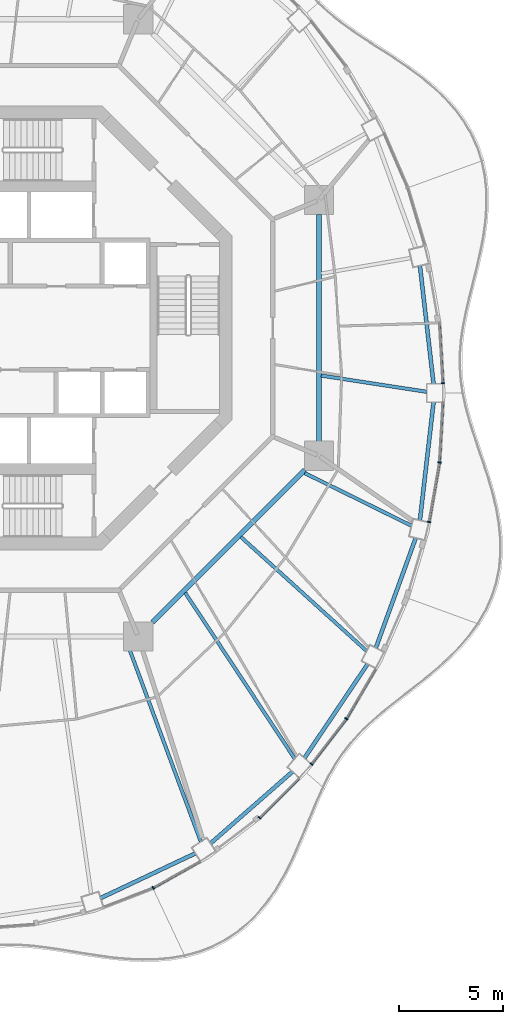
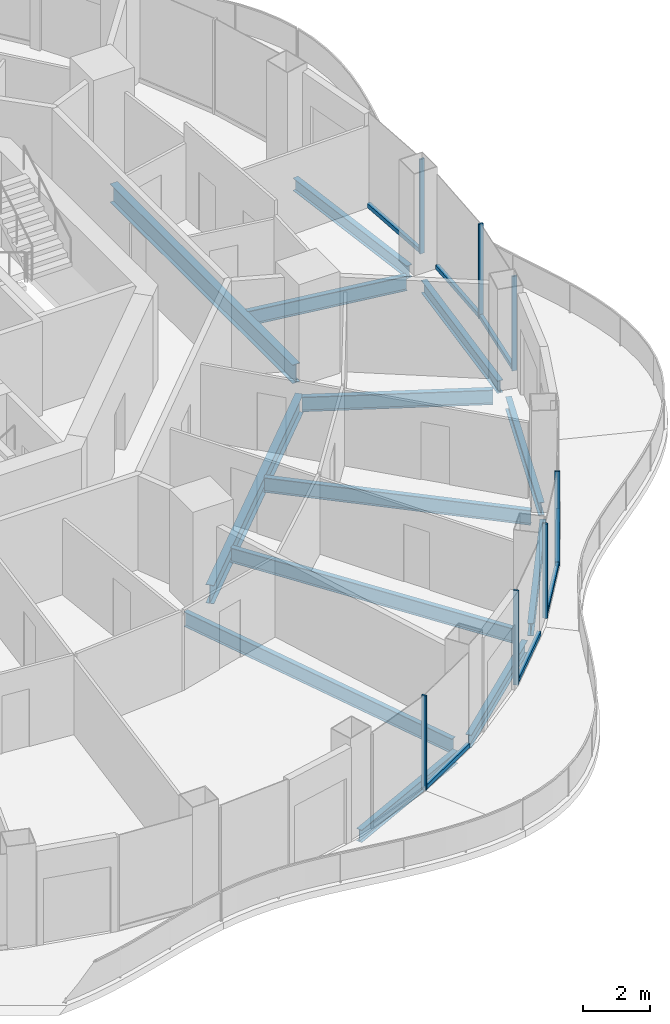
# One storey, part 4 of 17: 14 members, 13 beams, 7 elements without a shape of their own.
"""IFC4 building model written with IfcOpenShell, lengths in metres."""

import ifcopenshell
import ifcopenshell.guid

model = None  # the IFC model being written
_history = None  # IfcOwnerHistory: only IFC2X3 demands one
_inside = {}  # id of a spatial element -> (the spatial element, [elements in it])
_under = {}  # id of a project, library or spatial element -> (it, [spatial elements below it])
_declared = {}  # id of a project -> (the project, [libraries it declares])
_typed = {}  # id of a type object -> (the type object, [elements of that type])
_made_of = {}  # id of a material, layer set ... -> (it, [elements and type objects made of it])


def new_model(schema):
    """Start an empty IFC model of exactly this schema.

    Asked for "IFC4X3", IfcOpenShell would pick the latest addendum, in which some entities
    have other attributes; the version numbers below select the first issue.
    IFC2X3 requires an IfcOwnerHistory on every rooted entity: one is made here for all.
    """
    global model, _history
    if schema == "IFC4X3":
        model = ifcopenshell.file(schema_version=(4, 3, 0, 0))
    else:
        model = ifcopenshell.file(schema=schema)
    _inside.clear()
    _under.clear()
    _declared.clear()
    _typed.clear()
    _made_of.clear()
    _history = None
    if model.schema == "IFC2X3":
        org = make("IfcOrganization", Name="unknown")
        user = make(
            "IfcPersonAndOrganization",
            ThePerson=make("IfcPerson", FamilyName="unknown"),
            TheOrganization=org,
        )
        app = make(
            "IfcApplication",
            ApplicationDeveloper=org,
            Version="unknown",
            ApplicationFullName="unknown",
            ApplicationIdentifier="unknown",
        )
        _history = make(
            "IfcOwnerHistory",
            OwningUser=user,
            OwningApplication=app,
            ChangeAction="ADDED",
            CreationDate=0,
        )
    return model


def make(cls, **values):
    """One entity of the class cls with the attributes given. An attribute that is None is left unset."""
    return model.create_entity(
        cls, **{name: value for name, value in values.items() if value is not None}
    )


def rooted(cls, **values):
    """An entity with a GlobalId (a new one), such as an element, a storey or a relation."""
    return make(cls, GlobalId=ifcopenshell.guid.new(), OwnerHistory=_history, **values)


def si_unit(unit_type, name, prefix=None):
    """IfcSIUnit, for example si_unit("LENGTHUNIT", "METRE", prefix="MILLI")."""
    return make("IfcSIUnit", UnitType=unit_type, Prefix=prefix, Name=name)


def assignment(units):
    """IfcUnitAssignment: the units of a project."""
    return None if units is None else make("IfcUnitAssignment", Units=units)


def point(xyz):
    """IfcCartesianPoint."""
    return None if xyz is None else make("IfcCartesianPoint", Coordinates=xyz)


def direction(xyz):
    """IfcDirection."""
    return None if xyz is None else make("IfcDirection", DirectionRatios=xyz)


def frame(location, z_axis=None, x_axis=None):
    """IfcAxis2Placement3D, a coordinate frame: its origin and axes. An axis left out is left unset."""
    return make(
        "IfcAxis2Placement3D",
        Location=point(location),
        Axis=direction(z_axis),
        RefDirection=direction(x_axis),
    )


def frame_2d(location, x_axis=None):
    """IfcAxis2Placement2D, a coordinate frame in the plane: its origin and x axis."""
    return make(
        "IfcAxis2Placement2D", Location=point(location), RefDirection=direction(x_axis)
    )


def origin():
    """The frame at (0, 0, 0) with its axes left unset."""
    return frame((0.0, 0.0, 0.0))


def origin_2d():
    """The frame at (0, 0) in the plane with its x axis left unset."""
    return frame_2d((0.0, 0.0))


def place(relative_to, where):
    """IfcLocalPlacement: puts the frame where relative to a parent placement (None: the world)."""
    return make(
        "IfcLocalPlacement", PlacementRelTo=relative_to, RelativePlacement=where
    )


def context(
    kind, dimensions, precision=None, world=None, true_north=None, identifier=None
):
    """IfcGeometricRepresentationContext, for example the 3D "Model" context."""
    return make(
        "IfcGeometricRepresentationContext",
        ContextIdentifier=identifier,
        ContextType=kind,
        CoordinateSpaceDimension=dimensions,
        Precision=precision,
        WorldCoordinateSystem=world,
        TrueNorth=true_north,
    )


def subcontext(parent, identifier, kind, view, scale=None):
    """IfcGeometricRepresentationSubContext, for example "Body" below "Model"."""
    return make(
        "IfcGeometricRepresentationSubContext",
        ContextIdentifier=identifier,
        ContextType=kind,
        ParentContext=parent,
        TargetScale=scale,
        TargetView=view,
    )


def project(units=None, contexts=None):
    """IfcProject with its units and contexts."""
    return rooted(
        "IfcProject",
        Name="project",
        RepresentationContexts=contexts,
        UnitsInContext=assignment(units),
    )


def spatial(cls, under=None, at=None, **own):
    """A site, building, storey or space (cls), placed at a placement, below another one or the project."""
    s = rooted(cls, ObjectPlacement=at, **own)
    if under is not None:
        _under.setdefault(under.id(), (under, []))[1].append(s)
    return s


def profile(cls, at=None, kind="AREA", **sizes):
    """A parametric profile (cls). Its sizes go by their IFC names, for example OverallWidth=200.0."""
    return make(cls, ProfileType=kind, Position=at, **sizes)


def rectangle(**sizes):
    """IfcRectangleProfileDef."""
    return profile("IfcRectangleProfileDef", **sizes)


def i_section(**sizes):
    """IfcIShapeProfileDef."""
    return profile("IfcIShapeProfileDef", **sizes)


def extrude(swept, where, along, depth):
    """IfcExtrudedAreaSolid: the profile swept, set in the frame where, extruded along a direction by depth."""
    return make(
        "IfcExtrudedAreaSolid",
        SweptArea=swept,
        Position=where,
        ExtrudedDirection=direction(along),
        Depth=depth,
    )


def shape(context_of_items, identifier, shape_type, items):
    """IfcShapeRepresentation: the items that make up one representation, for example the "Body"."""
    return make(
        "IfcShapeRepresentation",
        ContextOfItems=context_of_items,
        RepresentationIdentifier=identifier,
        RepresentationType=shape_type,
        Items=items,
    )


def material(Name=None, Category=None):
    """IfcMaterial."""
    return make("IfcMaterial", Name=Name, Category=Category)


def layer(
    of_material, thickness, ventilated=None, Name=None, Category=None, Priority=None
):
    """IfcMaterialLayer: one layer of a wall or slab, of a material (None: an air gap)."""
    return make(
        "IfcMaterialLayer",
        Material=of_material,
        LayerThickness=thickness,
        IsVentilated=ventilated,
        Name=Name,
        Category=Category,
        Priority=Priority,
    )


def layer_set(layers, Name=None):
    """IfcMaterialLayerSet."""
    return make("IfcMaterialLayerSet", MaterialLayers=layers, LayerSetName=Name)


def material_profile(
    of_material, cross_section, Name=None, Category=None, Priority=None
):
    """IfcMaterialProfile: a cross section and its material."""
    return make(
        "IfcMaterialProfile",
        Name=Name,
        Material=of_material,
        Profile=cross_section,
        Priority=Priority,
        Category=Category,
    )


def profile_set(profiles, Name=None, composite=None):
    """IfcMaterialProfileSet."""
    return make(
        "IfcMaterialProfileSet",
        Name=Name,
        MaterialProfiles=profiles,
        CompositeProfile=composite,
    )


def made_of(thing, what):
    """Note that an element or type object is made of a material, layer set ...; save() writes the relation."""
    if what is not None:
        _made_of.setdefault(what.id(), (what, []))[1].append(thing)
    return thing


def type_object(cls, material=None, **own):
    """A type object (cls), such as IfcWallType, which elements share."""
    return made_of(rooted(cls, **own), material)


def element(
    cls,
    number,
    at=None,
    inside=None,
    cuts=None,
    type_object=None,
    material=None,
    context=None,
    identifier="Body",
    shape_type=None,
    held_by="IfcProductDefinitionShape",
    body=None,
    shapes=None,
    **own,
):
    """One element of the class cls, such as IfcWall. Its Tag is "e" and its number.

    at: its placement. inside: the storey or other place that contains it. cuts: it is an
    opening in that element (IfcRelVoidsElement). A single representation is given by context,
    identifier, shape_type and body (its items); several are given by shapes. held_by: the class
    of the entity that holds the representations. save() writes the other relations.
    """
    e = rooted(cls, Tag="e%d" % number, ObjectPlacement=at, **own)
    if body is not None:
        shapes = [shape(context, identifier, shape_type, body)]
    if shapes is not None:
        e.Representation = make(held_by, Representations=shapes)
    if inside is not None:
        _inside.setdefault(inside.id(), (inside, []))[1].append(e)
    if cuts is not None:
        rooted(
            "IfcRelVoidsElement", RelatingBuildingElement=cuts, RelatedOpeningElement=e
        )
    if type_object is not None:
        _typed.setdefault(type_object.id(), (type_object, []))[1].append(e)
    return made_of(e, material)


def aggregate(whole, parts):
    """IfcRelAggregates: a whole, such as a stair, and the parts it consists of."""
    return rooted("IfcRelAggregates", RelatingObject=whole, RelatedObjects=parts)


def save(model, path):
    """Write the relations noted so far, then the file.

    IfcRelAggregates (storeys below a building ...), IfcRelContainedInSpatialStructure (elements
    in a storey), IfcRelDefinesByType, IfcRelAssociatesMaterial and IfcRelDeclares: one each for
    every whole, place, type object, material and project.
    """
    for whole, parts in _under.values():
        aggregate(whole, parts)
    for where, things in _inside.values():
        rooted(
            "IfcRelContainedInSpatialStructure",
            RelatedElements=things,
            RelatingStructure=where,
        )
    for kind, things in _typed.values():
        rooted("IfcRelDefinesByType", RelatedObjects=things, RelatingType=kind)
    for what, things in _made_of.values():
        rooted("IfcRelAssociatesMaterial", RelatedObjects=things, RelatingMaterial=what)
    for by, libraries in _declared.values():
        rooted("IfcRelDeclares", RelatingContext=by, RelatedDefinitions=libraries)
    model.write(path)


model = new_model("IFC4")

# Units and contexts
model_context = context("Model", 3, precision=1e-05, world=origin(), true_north=direction((0.0, 1.0)))
body_context = subcontext(model_context, "Body", "Model", "MODEL_VIEW")
ifc_project = project(units=[si_unit("LENGTHUNIT", "METRE"), si_unit("AREAUNIT", "SQUARE_METRE"), si_unit("VOLUMEUNIT", "CUBIC_METRE"), si_unit("PLANEANGLEUNIT", "RADIAN"), si_unit("MASSUNIT", "GRAM", prefix="KILO")], contexts=[model_context])

# Site, building, storey
site_placement = place(None, origin())
site = spatial("IfcSite", under=ifc_project, at=site_placement, CompositionType="ELEMENT")
building_placement = place(site_placement, origin())
building = spatial("IfcBuilding", under=site, at=building_placement, Name="Nagisa Residences", CompositionType="ELEMENT")
storey_placement = place(building_placement, frame((0.0, 0.0, 288.10009765625)))
storey = spatial("IfcBuildingStorey", under=building, at=storey_placement, Name="L73", CompositionType="ELEMENT", Elevation=288.10009765625)

# Curtain wall, member
ifc_material_1 = material(Name="Concrete-coloured aluminium curtain wall system", Category="concrete")
ifc_layer = layer(ifc_material_1, 0.159912109375)
ifc_layer_set = layer_set([ifc_layer], Name="CW1 CURTAIN WALL")
curtain_wall_type = type_object("IfcCurtainWallType", Name="CW1 CURTAIN WALL", PredefinedType="NOTDEFINED", material=ifc_layer_set)
curtain_wall_1_placement = place(storey_placement, origin())
curtain_wall_1 = element("IfcCurtainWall", 1, at=curtain_wall_1_placement, inside=storey, type_object=curtain_wall_type, Name="cw:CW1:L73:00", PredefinedType="NOTDEFINED")
ifc_material_2 = material(Name="Concrete-coloured aluminium", Category="concrete")
ifc_material_profile_1 = material_profile(ifc_material_2, rectangle(XDim=0.159912109375, YDim=0.06005859375, at=origin_2d()), Name="CW1 MULLION 160x60")
ifc_profile_set_1 = profile_set([ifc_material_profile_1], Name="Concrete-coloured aluminium")
member_type_1 = type_object("IfcMemberType", Name="CW1 MULLION 160x60", PredefinedType="MULLION", material=ifc_profile_set_1)
member_1_placement = place(storey_placement, frame((20.712646484375, -2.64306640625, 0.0), z_axis=(0.0, 0.0, 1.0), x_axis=(-0.998345305184, -0.057503492216, 0.0)))
member_1 = element("IfcMember", 2, at=member_1_placement, type_object=member_type_1, Name="CW1 mullion", PredefinedType="MULLION", context=body_context, shape_type="SweptSolid", body=[
    extrude(rectangle(XDim=0.159912109375, YDim=0.06005859375, at=origin_2d()), origin(), (0.0, 0.0, 1.0), 3.43994140625),
])

curtain_wall_2_placement = place(storey_placement, origin())
curtain_wall_2 = element("IfcCurtainWall", 3, at=curtain_wall_2_placement, inside=storey, type_object=curtain_wall_type, Name="cw:CW1:L73:39", PredefinedType="NOTDEFINED")
member_2_placement = place(storey_placement, frame((6.84326171875, -26.81396484375, 0.0), z_axis=(0.0, 0.0, 1.0), x_axis=(-0.489376918501, 0.872072377523, 0.0)))
member_2 = element("IfcMember", 4, at=member_2_placement, type_object=member_type_1, Name="CW1 mullion", PredefinedType="MULLION", context=body_context, shape_type="SweptSolid", body=[
    extrude(rectangle(XDim=0.159912109375, YDim=0.06005859375, at=origin_2d()), origin(), (0.0, 0.0, 1.0), 3.43994140625),
])

curtain_wall_3_placement = place(storey_placement, origin())
curtain_wall_3 = element("IfcCurtainWall", 5, at=curtain_wall_3_placement, inside=storey, type_object=curtain_wall_type, Name="cw:CW1:L73:41", PredefinedType="NOTDEFINED")
member_3_placement = place(storey_placement, frame((11.934814453125, -23.460693359375, 0.0), z_axis=(0.0, 0.0, 1.0), x_axis=(-0.706376885714, 0.707835924016, 0.0)))
member_3 = element("IfcMember", 6, at=member_3_placement, type_object=member_type_1, Name="CW1 mullion", PredefinedType="MULLION", context=body_context, shape_type="SweptSolid", body=[
    extrude(rectangle(XDim=0.159912109375, YDim=0.06005859375, at=origin_2d()), origin(), (0.0, 0.0, 1.0), 3.43994140625),
])

curtain_wall_4_placement = place(storey_placement, origin())
curtain_wall_4 = element("IfcCurtainWall", 7, at=curtain_wall_4_placement, inside=storey, type_object=curtain_wall_type, Name="cw:CW1:L73:42", PredefinedType="NOTDEFINED")
member_4_placement = place(storey_placement, frame((14.42431640625, -20.8896484375, 0.0), z_axis=(0.0, 0.0, 1.0), x_axis=(-0.792070340816, 0.610429828235, 0.0)))
member_4 = element("IfcMember", 8, at=member_4_placement, type_object=member_type_1, Name="CW1 mullion", PredefinedType="MULLION", context=body_context, shape_type="SweptSolid", body=[
    extrude(rectangle(XDim=0.159912109375, YDim=0.06005859375, at=origin_2d()), origin(), (0.0, 0.0, 1.0), 3.43994140625),
])

curtain_wall_5_placement = place(storey_placement, origin())
curtain_wall_5 = element("IfcCurtainWall", 9, at=curtain_wall_5_placement, inside=storey, type_object=curtain_wall_type, Name="cw:CW1:L73:43", PredefinedType="NOTDEFINED")
member_5_placement = place(storey_placement, frame((16.091796875, -18.720947265625, 0.0), z_axis=(0.0, 0.0, 1.0), x_axis=(-0.862328898214, 0.506348567002, 0.0)))
member_5 = element("IfcMember", 10, at=member_5_placement, type_object=member_type_1, Name="CW1 mullion", PredefinedType="MULLION", context=body_context, shape_type="SweptSolid", body=[
    extrude(rectangle(XDim=0.159912109375, YDim=0.06005859375, at=origin_2d()), origin(), (0.0, 0.0, 1.0), 3.43994140625),
])

curtain_wall_6_placement = place(storey_placement, origin())
curtain_wall_6 = element("IfcCurtainWall", 11, at=curtain_wall_6_placement, inside=storey, type_object=curtain_wall_type, Name="cw:CW1:L73:46", PredefinedType="NOTDEFINED")
member_6_placement = place(storey_placement, frame((20.052978515625, -9.29296875, 0.0), z_axis=(0.0, 0.0, 1.0), x_axis=(-0.985063604377, 0.172190868898, 0.0)))
member_6 = element("IfcMember", 12, at=member_6_placement, type_object=member_type_1, Name="CW1 mullion", PredefinedType="MULLION", context=body_context, shape_type="SweptSolid", body=[
    extrude(rectangle(XDim=0.159912109375, YDim=0.06005859375, at=origin_2d()), origin(), (0.0, 0.0, 1.0), 3.43994140625),
])

curtain_wall_7_placement = place(storey_placement, origin())
curtain_wall_7 = element("IfcCurtainWall", 13, at=curtain_wall_7_placement, inside=storey, type_object=curtain_wall_type, Name="cw:CW1:L73:47", PredefinedType="NOTDEFINED")
member_7_placement = place(storey_placement, frame((20.54833984375, -6.44287109375, 0.0), z_axis=(0.0, 0.0, 1.0), x_axis=(-0.998345305184, 0.057503492216, 0.0)))
member_7 = element("IfcMember", 14, at=member_7_placement, type_object=member_type_1, Name="CW1 mullion", PredefinedType="MULLION", context=body_context, shape_type="SweptSolid", body=[
    extrude(rectangle(XDim=0.159912109375, YDim=0.06005859375, at=origin_2d()), origin(), (0.0, 0.0, 1.0), 3.43994140625),
])

# Member
ifc_material_3 = material(Name="Concrete-coloured aluminium", Category="concrete")
ifc_material_profile_2 = material_profile(ifc_material_3, rectangle(XDim=0.1201171875, YDim=0.14990234375, at=origin_2d()), Name="CW1 TRANSOM 120x150")
ifc_profile_set_2 = profile_set([ifc_material_profile_2], Name="Concrete-coloured aluminium")
member_type_2 = type_object("IfcMemberType", Name="CW1 TRANSOM 120x150", PredefinedType="USERDEFINED", material=ifc_profile_set_2)
member_8_placement = place(storey_placement, frame((20.71435546875, -2.673095703125, 0.074951171875), z_axis=(-0.057529123486, 0.998343828524, 0.0), x_axis=(-0.998343828524, -0.057529123486, 0.0)))
member_8 = element("IfcMember", 15, at=member_8_placement, type_object=member_type_2, Name="CW1 transom", ObjectType="TRANSOM", PredefinedType="USERDEFINED", context=body_context, shape_type="SweptSolid", body=[
    extrude(rectangle(XDim=0.1201171875, YDim=0.14990234375, at=origin_2d()), origin(), (0.0, 0.0, 1.0), 2.91552734375),
])

aggregate(curtain_wall_1, [member_1, member_8])

member_9_placement = place(storey_placement, frame((6.817138671875, -26.82861328125, 0.074951171875), z_axis=(0.872052877201, 0.489411666561, 0.0), x_axis=(-0.489411666561, 0.872052877201, 0.0)))
member_9 = element("IfcMember", 16, at=member_9_placement, type_object=member_type_2, Name="CW1 transom", ObjectType="TRANSOM", PredefinedType="USERDEFINED", context=body_context, shape_type="SweptSolid", body=[
    extrude(rectangle(XDim=0.1201171875, YDim=0.14990234375, at=origin_2d()), origin(), (0.0, 0.0, 1.0), 2.593017578125),
])

aggregate(curtain_wall_2, [member_2, member_9])

member_10_placement = place(storey_placement, frame((11.91357421875, -23.48193359375, 0.074951171875), z_axis=(0.707876975297, 0.706335747251, 0.0), x_axis=(-0.706335747251, 0.707876975297, 0.0)))
member_10 = element("IfcMember", 17, at=member_10_placement, type_object=member_type_2, Name="CW1 transom", ObjectType="TRANSOM", PredefinedType="USERDEFINED", context=body_context, shape_type="SweptSolid", body=[
    extrude(rectangle(XDim=0.1201171875, YDim=0.14990234375, at=origin_2d()), origin(), (0.0, 0.0, 1.0), 2.69287109375),
])

aggregate(curtain_wall_3, [member_3, member_10])

member_11_placement = place(storey_placement, frame((14.406005859375, -20.913330078125, 0.074951171875), z_axis=(0.610432336622, 0.792068407656, 0.0), x_axis=(-0.792068407656, 0.610432336622, 0.0)))
member_11 = element("IfcMember", 18, at=member_11_placement, type_object=member_type_2, Name="CW1 transom", ObjectType="TRANSOM", PredefinedType="USERDEFINED", context=body_context, shape_type="SweptSolid", body=[
    extrude(rectangle(XDim=0.1201171875, YDim=0.14990234375, at=origin_2d()), origin(), (0.0, 0.0, 1.0), 2.74609375),
])

aggregate(curtain_wall_4, [member_4, member_11])

member_12_placement = place(storey_placement, frame((16.07666015625, -18.74658203125, 0.074951171875), z_axis=(0.506371364425, 0.862315511452, 0.0), x_axis=(-0.862315511452, 0.506371364425, 0.0)))
member_12 = element("IfcMember", 19, at=member_12_placement, type_object=member_type_2, Name="CW1 transom", ObjectType="TRANSOM", PredefinedType="USERDEFINED", context=body_context, shape_type="SweptSolid", body=[
    extrude(rectangle(XDim=0.1201171875, YDim=0.14990234375, at=origin_2d()), origin(), (0.0, 0.0, 1.0), 2.79638671875),
])

aggregate(curtain_wall_5, [member_5, member_12])

member_13_placement = place(storey_placement, frame((20.0478515625, -9.32275390625, 0.074951171875), z_axis=(0.172182411767, 0.985065082661, 0.0), x_axis=(-0.985065082661, 0.172182411767, 0.0)))
member_13 = element("IfcMember", 20, at=member_13_placement, type_object=member_type_2, Name="CW1 transom", ObjectType="TRANSOM", PredefinedType="USERDEFINED", context=body_context, shape_type="SweptSolid", body=[
    extrude(rectangle(XDim=0.1201171875, YDim=0.14990234375, at=origin_2d()), origin(), (0.0, 0.0, 1.0), 2.902587890625),
])

aggregate(curtain_wall_6, [member_6, member_13])

member_14_placement = place(storey_placement, frame((20.546630859375, -6.472900390625, 0.074951171875), z_axis=(0.057529123486, 0.998343828524, 0.0), x_axis=(-0.998343828524, 0.057529123486, 0.0)))
member_14 = element("IfcMember", 21, at=member_14_placement, type_object=member_type_2, Name="CW1 transom", ObjectType="TRANSOM", PredefinedType="USERDEFINED", context=body_context, shape_type="SweptSolid", body=[
    extrude(rectangle(XDim=0.1201171875, YDim=0.14990234375, at=origin_2d()), origin(), (0.0, 0.0, 1.0), 2.91552734375),
])

aggregate(curtain_wall_7, [member_7, member_14])

# Beams
ifc_material_4 = material(Name="Steel ASTM A572 Gr 50", Category="steel")
ifc_material_profile_3 = material_profile(ifc_material_4, i_section(OverallWidth=0.2529296875, OverallDepth=0.677978515625, WebThickness=0.01171875, FlangeThickness=0.016357421875, at=origin_2d()), Name="W690x125")
ifc_profile_set_3 = profile_set([ifc_material_profile_3], Name="Steel ASTM A572 Gr 50")
beam_type_1 = type_object("IfcBeamType", Name="Inner ring beam W690x125", PredefinedType="BEAM", material=ifc_profile_set_3)
beam_1_placement = place(storey_placement, frame((6.808837890625, -14.09619140625, -0.59912109375), z_axis=(0.707106781187, 0.707106781187, 0.0), x_axis=(-0.707106781187, 0.707106781187, 0.0)))
element("IfcBeam", 22, at=beam_1_placement, inside=storey, type_object=beam_type_1, Name="beam:L73:ib7", PredefinedType="BEAM", context=body_context, shape_type="SweptSolid", body=[
    extrude(i_section(OverallWidth=0.2529296875, OverallDepth=0.677978515625, WebThickness=0.01171875, FlangeThickness=0.016357421875, at=origin_2d()), origin(), (0.0, 0.0, 1.0), 10.305908203125),
])
beam_2_placement = place(storey_placement, frame((14.781982421875, -5.44287109375, -0.59912109375), z_axis=(0.0, 1.0, 0.0), x_axis=(-1.0, 0.0, 0.0)))
element("IfcBeam", 23, at=beam_2_placement, inside=storey, type_object=beam_type_1, Name="beam:L73:ib8", PredefinedType="BEAM", context=body_context, shape_type="SweptSolid", body=[
    extrude(i_section(OverallWidth=0.2529296875, OverallDepth=0.677978515625, WebThickness=0.01171875, FlangeThickness=0.016357421875, at=origin_2d()), origin(), (0.0, 0.0, 1.0), 10.8857421875),
])
ifc_material_5 = material(Name="Steel ASTM A572 Gr 50", Category="steel")
ifc_material_profile_4 = material_profile(ifc_material_5, i_section(OverallWidth=0.18994140625, OverallDepth=0.45703125, WebThickness=0.009033203125, FlangeThickness=0.014404296875, at=origin_2d()), Name="W460x74")
ifc_profile_set_4 = profile_set([ifc_material_profile_4], Name="Steel ASTM A572 Gr 50")
beam_type_2 = type_object("IfcBeamType", Name="Perimeter ring beam W460x74", PredefinedType="BEAM", material=ifc_profile_set_4)
beam_3_placement = place(storey_placement, frame((20.270263671875, -2.6875, -0.488525390625), z_axis=(-0.114593271741, 0.993412493414, 0.0), x_axis=(-0.993412493414, -0.114593271741, 0.0)))
element("IfcBeam", 24, at=beam_3_placement, inside=storey, type_object=beam_type_2, Name="beam:L73:pb01", PredefinedType="BEAM", context=body_context, shape_type="SweptSolid", body=[
    extrude(i_section(OverallWidth=0.18994140625, OverallDepth=0.45703125, WebThickness=0.009033203125, FlangeThickness=0.014404296875, at=origin_2d()), origin(), (0.0, 0.0, 1.0), 5.709716796875),
])
beam_4_placement = place(storey_placement, frame((4.318115234375, -27.311767578125, -0.488525390625), z_axis=(0.904115893837, 0.427287316113, 0.0), x_axis=(-0.427287316113, 0.904115893837, 0.0)))
element("IfcBeam", 25, at=beam_4_placement, inside=storey, type_object=beam_type_2, Name="beam:L73:pb20", PredefinedType="BEAM", context=body_context, shape_type="SweptSolid", body=[
    extrude(i_section(OverallWidth=0.18994140625, OverallDepth=0.45703125, WebThickness=0.009033203125, FlangeThickness=0.014404296875, at=origin_2d()), origin(), (0.0, 0.0, 1.0), 5.031494140625),
])
beam_5_placement = place(storey_placement, frame((9.586669921875, -24.690185546875, -0.488525390625), z_axis=(0.752385480596, 0.658723074279, 0.0), x_axis=(-0.658723074279, 0.752385480596, 0.0)))
element("IfcBeam", 26, at=beam_5_placement, inside=storey, type_object=beam_type_2, Name="beam:L73:pb21", PredefinedType="BEAM", context=body_context, shape_type="SweptSolid", body=[
    extrude(i_section(OverallWidth=0.18994140625, OverallDepth=0.45703125, WebThickness=0.009033203125, FlangeThickness=0.014404296875, at=origin_2d()), origin(), (0.0, 0.0, 1.0), 5.220947265625),
])
beam_6_placement = place(storey_placement, frame((14.083251953125, -20.605224609375, -0.488525390625), z_axis=(0.558045612854, 0.829810275891, 0.0), x_axis=(-0.829810275891, 0.558045612854, 0.0)))
element("IfcBeam", 27, at=beam_6_placement, inside=storey, type_object=beam_type_2, Name="beam:L73:pb22", PredefinedType="BEAM", context=body_context, shape_type="SweptSolid", body=[
    extrude(i_section(OverallWidth=0.18994140625, OverallDepth=0.45703125, WebThickness=0.009033203125, FlangeThickness=0.014404296875, at=origin_2d()), origin(), (0.0, 0.0, 1.0), 5.432373046875),
])
beam_7_placement = place(storey_placement, frame((17.50439453125, -15.330322265625, -0.488525390625), z_axis=(0.341211850477, 0.93998642176, 0.0), x_axis=(-0.93998642176, 0.341211850477, 0.0)))
element("IfcBeam", 28, at=beam_7_placement, inside=storey, type_object=beam_type_2, Name="beam:L73:pb23", PredefinedType="BEAM", context=body_context, shape_type="SweptSolid", body=[
    extrude(i_section(OverallWidth=0.18994140625, OverallDepth=0.45703125, WebThickness=0.009033203125, FlangeThickness=0.014404296875, at=origin_2d()), origin(), (0.0, 0.0, 1.0), 5.609619140625),
])
beam_8_placement = place(storey_placement, frame((19.615966796875, -9.219970703125, -0.488525390625), z_axis=(0.114593271741, 0.993412493414, 0.0), x_axis=(-0.993412493414, 0.114593271741, 0.0)))
element("IfcBeam", 29, at=beam_8_placement, inside=storey, type_object=beam_type_2, Name="beam:L73:pb24", PredefinedType="BEAM", context=body_context, shape_type="SweptSolid", body=[
    extrude(i_section(OverallWidth=0.18994140625, OverallDepth=0.45703125, WebThickness=0.009033203125, FlangeThickness=0.014404296875, at=origin_2d()), origin(), (0.0, 0.0, 1.0), 5.709716796875),
])
ifc_material_6 = material(Name="Steel ASTM A572 Gr 50", Category="steel")
ifc_material_profile_5 = material_profile(ifc_material_6, i_section(OverallWidth=0.166015625, OverallDepth=0.534912109375, WebThickness=0.01025390625, FlangeThickness=0.0166015625, at=origin_2d()), Name="W530x85")
ifc_profile_set_5 = profile_set([ifc_material_profile_5], Name="Steel ASTM A572 Gr 50")
beam_type_3 = type_object("IfcBeamType", Name="Radial beam W530x85", PredefinedType="BEAM", material=ifc_profile_set_5)
beam_9_placement = place(storey_placement, frame((19.939697265625, -3.059326171875, -0.527587890625), z_axis=(-0.988434580655, 0.151647880849, 0.0), x_axis=(-0.151647880849, -0.988434580655, 0.0)))
element("IfcBeam", 30, at=beam_9_placement, inside=storey, type_object=beam_type_3, Name="beam:L73:rb01", PredefinedType="BEAM", context=body_context, shape_type="SweptSolid", body=[
    extrude(i_section(OverallWidth=0.166015625, OverallDepth=0.534912109375, WebThickness=0.01025390625, FlangeThickness=0.0166015625, at=origin_2d()), origin(), (0.0, 0.0, 1.0), 5.10986328125),
])
beam_10_placement = place(storey_placement, frame((9.124267578125, -24.610107421875, -0.527587890625), z_axis=(-0.347626513472, 0.93763308769, 0.0), x_axis=(-0.93763308769, -0.347626513472, 0.0)))
element("IfcBeam", 31, at=beam_10_placement, inside=storey, type_object=beam_type_3, Name="beam:L73:rb21", PredefinedType="BEAM", context=body_context, shape_type="SweptSolid", body=[
    extrude(i_section(OverallWidth=0.166015625, OverallDepth=0.534912109375, WebThickness=0.01025390625, FlangeThickness=0.0166015625, at=origin_2d()), origin(), (0.0, 0.0, 1.0), 10.36669921875),
])
beam_11_placement = place(storey_placement, frame((13.623779296875, -20.6357421875, -0.527587890625), z_axis=(-0.550958197916, 0.834532841864, 0.0), x_axis=(-0.834532841864, -0.550958197916, 0.0)))
element("IfcBeam", 32, at=beam_11_placement, inside=storey, type_object=beam_type_3, Name="beam:L73:rb22", PredefinedType="BEAM", context=body_context, shape_type="SweptSolid", body=[
    extrude(i_section(OverallWidth=0.166015625, OverallDepth=0.534912109375, WebThickness=0.01025390625, FlangeThickness=0.0166015625, at=origin_2d()), origin(), (0.0, 0.0, 1.0), 9.52978515625),
])
beam_12_placement = place(storey_placement, frame((17.064208984375, -15.47265625, -0.527587890625), z_axis=(-0.740818788558, 0.671704937096, 0.0), x_axis=(-0.671704937096, -0.740818788558, 0.0)))
element("IfcBeam", 33, at=beam_12_placement, inside=storey, type_object=beam_type_3, Name="beam:L73:rb23", PredefinedType="BEAM", context=body_context, shape_type="SweptSolid", body=[
    extrude(i_section(OverallWidth=0.166015625, OverallDepth=0.534912109375, WebThickness=0.01025390625, FlangeThickness=0.0166015625, at=origin_2d()), origin(), (0.0, 0.0, 1.0), 8.128173828125),
])
beam_13_placement = place(storey_placement, frame((19.216064453125, -9.4775390625, -0.527587890625), z_axis=(-0.896862727732, 0.442308995618, 0.0), x_axis=(-0.442308995618, -0.896862727732, 0.0)))
element("IfcBeam", 34, at=beam_13_placement, inside=storey, type_object=beam_type_3, Name="beam:L73:rb24", PredefinedType="BEAM", context=body_context, shape_type="SweptSolid", body=[
    extrude(i_section(OverallWidth=0.166015625, OverallDepth=0.534912109375, WebThickness=0.01025390625, FlangeThickness=0.0166015625, at=origin_2d()), origin(), (0.0, 0.0, 1.0), 5.702392578125),
])

save(model, "model.ifc")
